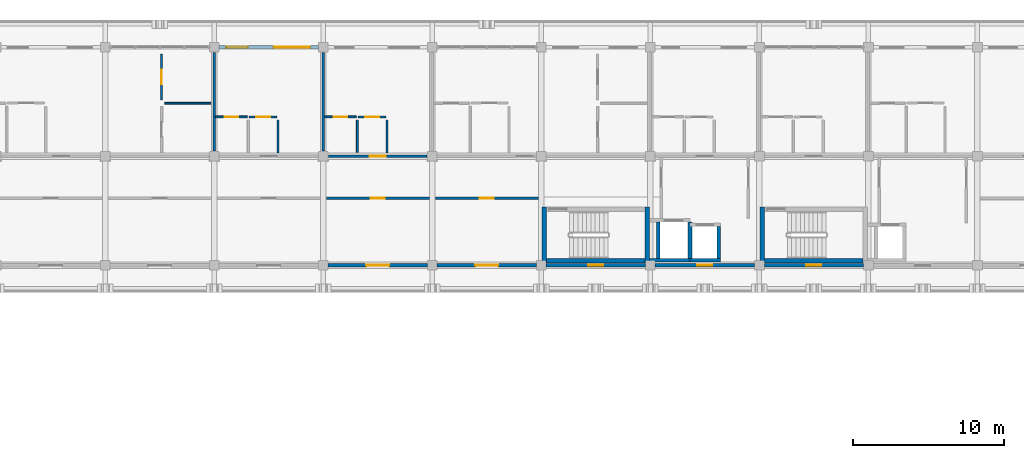
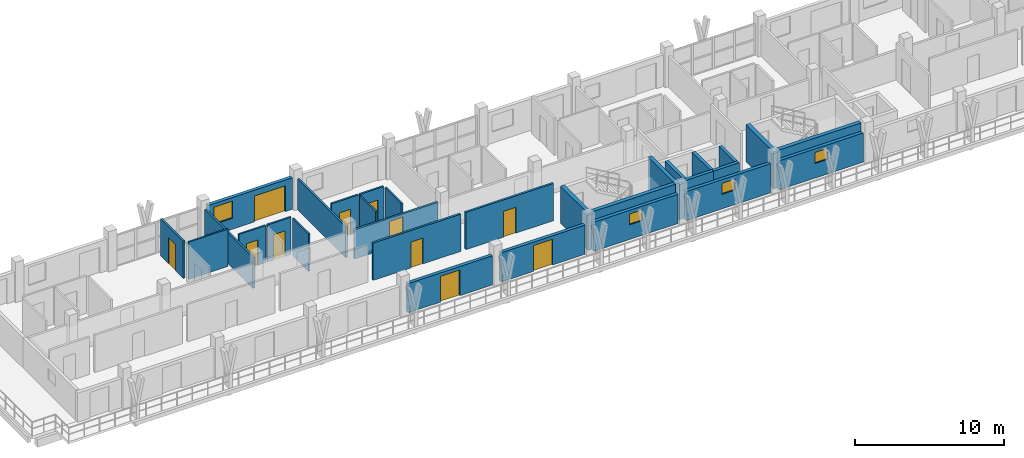
# One storey, part 43 of 75: 30 walls, 11 doors, 4 windows, 15 openings.
"""IFC4 building model written with IfcOpenShell, lengths in metres."""

from ifc_helpers import new_model, si_unit, direction, frame, frame_2d, origin, place, context, subcontext, project, spatial, rectangle, extrude, material, layer, layer_set, type_object, element, fill, save


model = new_model("IFC4")

# Units and contexts
model_context = context("Model", 3, precision=1e-05, world=origin(), true_north=direction((0.0, 1.0)))
body_context = subcontext(model_context, "Body", "Model", "MODEL_VIEW")
ifc_project = project(units=[si_unit("LENGTHUNIT", "METRE"), si_unit("AREAUNIT", "SQUARE_METRE"), si_unit("VOLUMEUNIT", "CUBIC_METRE"), si_unit("PLANEANGLEUNIT", "RADIAN"), si_unit("MASSUNIT", "GRAM", prefix="KILO")], contexts=[model_context])

# Site, building, storey
site_placement = place(None, origin())
site = spatial("IfcSite", under=ifc_project, at=site_placement, CompositionType="ELEMENT")
building_placement = place(site_placement, origin())
building = spatial("IfcBuilding", under=site, at=building_placement, Name="Suanplinth Sawtooth Commons", CompositionType="ELEMENT")
storey_placement = place(building_placement, frame((0.0, 0.0, 18.60009765625)))
storey = spatial("IfcBuildingStorey", under=building, at=storey_placement, Name="L05", CompositionType="ELEMENT", Elevation=18.60009765625)

# Walls
ifc_material_1 = material(Name="Concrete C40/50", Category="concrete")
ifc_layer_1 = layer(ifc_material_1, 0.300048828125, Name="Standard RC stair and lift core wall 300mm")
ifc_layer_set_1 = layer_set([ifc_layer_1], Name="Concrete C40/50")
wall_type_1 = type_object("IfcWallType", Name="W-CR02", PredefinedType="SHEAR", material=ifc_layer_set_1)
wall_1_placement = place(storey_placement, frame((43.550048828125, 108.300048828125, 0.0), z_axis=(0.0, 0.0, 1.0), x_axis=(1.0, 0.0, 0.0)))
element("IfcWall", 1, at=wall_1_placement, inside=storey, type_object=wall_type_1, Name="W-L05-C-A1-STS", PredefinedType="SHEAR", context=body_context, shape_type="SweptSolid", body=[
    extrude(rectangle(XDim=6.5, YDim=0.300048828125, at=frame_2d((3.25, 0.0))), origin(), (0.0, 0.0, 1.0), 3.059814453125),
])
for number, where, z_axis, x_axis, name in (
    (2, (43.39990234375, 108.14990234375, 0.0), (0.0, 0.0, 1.0), (0.0, 1.0, 0.0), "W-L05-C-A1-STW"),
    (3, (50.199951171875, 108.14990234375, 0.0), (0.0, 0.0, 1.0), (0.0, 1.0, 0.0), "W-L05-C-A1-STE"),
):
    element("IfcWall", number, at=place(storey_placement, frame(where, z_axis=z_axis, x_axis=x_axis)), inside=storey, type_object=wall_type_1, Name=name, PredefinedType="SHEAR", context=body_context, shape_type="SweptSolid", body=[
        extrude(rectangle(XDim=3.7001953125, YDim=0.300048828125, at=frame_2d((1.85009765625, 0.0))), origin(), (0.0, 0.0, 1.0), 3.059814453125),
    ])
wall_2_placement = place(storey_placement, frame((57.949951171875, 108.300048828125, 0.0), z_axis=(0.0, 0.0, 1.0), x_axis=(1.0, 0.0, 0.0)))
element("IfcWall", 4, at=wall_2_placement, inside=storey, type_object=wall_type_1, Name="W-L05-C-A2-STS", PredefinedType="SHEAR", context=body_context, shape_type="SweptSolid", body=[
    extrude(rectangle(XDim=6.5, YDim=0.300048828125, at=frame_2d((3.25, 0.0))), origin(), (0.0, 0.0, 1.0), 3.059814453125),
])
wall_3_placement = place(storey_placement, frame((57.800048828125, 108.14990234375, 0.0), z_axis=(0.0, 0.0, 1.0), x_axis=(0.0, 1.0, 0.0)))
element("IfcWall", 5, at=wall_3_placement, inside=storey, type_object=wall_type_1, Name="W-L05-C-A2-STW", PredefinedType="SHEAR", context=body_context, shape_type="SweptSolid", body=[
    extrude(rectangle(XDim=3.7001953125, YDim=0.300048828125, at=frame_2d((1.85009765625, 0.0))), origin(), (0.0, 0.0, 1.0), 3.059814453125),
])

# Wall, openings, door, window
ifc_material_2 = material(Name="Precast concrete C40/50", Category="concrete")
ifc_layer_2 = layer(ifc_material_2, 0.260009765625, Name="Insulated precast courtyard facade wall 260mm")
ifc_layer_set_2 = layer_set([ifc_layer_2], Name="Precast concrete C40/50")
wall_type_2 = type_object("IfcWallType", Name="W-EX02", PredefinedType="ELEMENTEDWALL", material=ifc_layer_set_2)
wall_4_placement = place(storey_placement, frame((21.925048828125, 122.39990234375, 0.0), z_axis=(0.0, 0.0, 1.0), x_axis=(1.0, 0.0, 0.0)))
wall_4 = element("IfcWall", 6, at=wall_4_placement, inside=storey, type_object=wall_type_2, Name="Facade Wall W-L05-A-N-3", PredefinedType="ELEMENTEDWALL", context=body_context, shape_type="SweptSolid", body=[
    extrude(rectangle(XDim=6.550048828125, YDim=0.260009765625, at=frame_2d((3.27490234375, 0.0))), origin(), (0.0, 0.0, 1.0), 2.594970703125),
])
opening_1_placement = place(wall_4_placement, frame((3.60009765625, 0.0, 0.0)))
opening_1 = element("IfcOpeningElement", 7, at=opening_1_placement, cuts=wall_4, Name="Opening ED0400", PredefinedType="OPENING", context=body_context, shape_type="SweptSolid", body=[
    extrude(rectangle(XDim=2.39990234375, YDim=2.1201171875, at=frame_2d((1.199951171875, 1.06005859375))), frame((0.0, 0.14501953125, 0.0), z_axis=(0.0, -1.0, 0.0), x_axis=(1.0, 0.0, 0.0)), (0.0, 0.0, 1.0), 0.289794921875),
])
opening_2_placement = place(wall_4_placement, frame((0.449951171875, 0.0, 0.89990234375)))
opening_2 = element("IfcOpeningElement", 8, at=opening_2_placement, cuts=wall_4, Name="Opening W0494", PredefinedType="OPENING", context=body_context, shape_type="SweptSolid", body=[
    extrude(rectangle(XDim=1.449951171875, YDim=1.39990234375, at=frame_2d((0.72509765625, 0.699951171875))), frame((0.0, 0.14501953125, 0.0), z_axis=(0.0, -1.0, 0.0), x_axis=(1.0, 0.0, 0.0)), (0.0, 0.0, 1.0), 0.289794921875),
])
ifc_material_3 = material(Name="Anodized aluminium and low-E glass", Category="aluminium")
door_type_1 = type_object("IfcDoorType", Name="SD-04", OperationType="DOUBLE_DOOR_SLIDING", PredefinedType="DOOR", material=ifc_material_3)
door_1_placement = place(opening_1_placement, frame((2.39990234375, 0.0, 0.0), z_axis=(0.0, 0.0, 1.0), x_axis=(-1.0, 0.0, 0.0)))
door_1 = element("IfcDoor", 9, at=door_1_placement, inside=storey, type_object=door_type_1, Name="Balcony Sliding Door L05-A-N-3", OperationType="DOUBLE_DOOR_SLIDING", OverallHeight=2.1201171875, OverallWidth=2.39990234375, PredefinedType="DOOR", context=body_context, shape_type="SweptSolid", body=[
    extrude(rectangle(XDim=2.39990234375, YDim=2.1201171875, at=frame_2d((1.199951171875, 1.06005859375))), frame((0.0, 0.02490234375, 0.0), z_axis=(0.0, -1.0, 0.0), x_axis=(1.0, 0.0, 0.0)), (0.0, 0.0, 1.0), 0.050048828125),
])
fill(opening_1, door_1)
ifc_material_4 = material(Name="Thermally broken aluminium and low-E double glazing", Category="aluminium")
window_type_1 = type_object("IfcWindowType", Name="WN-16", PartitioningType="DOUBLE_PANEL_VERTICAL", PredefinedType="WINDOW", material=ifc_material_4)
window_1_placement = place(opening_2_placement, origin())
window_1 = element("IfcWindow", 10, at=window_1_placement, inside=storey, type_object=window_type_1, Name="Window L05-A-N-3", OverallHeight=1.39990234375, OverallWidth=1.449951171875, PartitioningType="DOUBLE_PANEL_VERTICAL", PredefinedType="WINDOW", context=body_context, shape_type="SweptSolid", body=[
    extrude(rectangle(XDim=1.449951171875, YDim=1.39990234375, at=frame_2d((0.72509765625, 0.699951171875))), frame((0.0, 0.030029296875, 0.0), z_axis=(0.0, -1.0, 0.0), x_axis=(1.0, 0.0, 0.0)), (0.0, 0.0, 1.0), 0.06005859375),
])
fill(opening_2, window_1)

# Wall, opening, door
wall_5_placement = place(storey_placement, frame((29.125, 108.0, 0.0), z_axis=(0.0, 0.0, 1.0), x_axis=(1.0, 0.0, 0.0)))
wall_5 = element("IfcWall", 11, at=wall_5_placement, inside=storey, type_object=wall_type_2, Name="Courtyard Wall W-L05-A-S-4", PredefinedType="ELEMENTEDWALL", context=body_context, shape_type="SweptSolid", body=[
    extrude(rectangle(XDim=6.550048828125, YDim=0.260009765625, at=frame_2d((3.27490234375, 0.0))), origin(), (0.0, 0.0, 1.0), 2.39501953125),
])
opening_3_placement = place(wall_5_placement, frame((2.52490234375, 0.0, 0.0)))
opening_3 = element("IfcOpeningElement", 12, at=opening_3_placement, cuts=wall_5, Name="Opening ED0403", PredefinedType="OPENING", context=body_context, shape_type="SweptSolid", body=[
    extrude(rectangle(XDim=1.5, YDim=2.1201171875, at=frame_2d((0.75, 1.06005859375))), frame((0.0, 0.14501953125, 0.0), z_axis=(0.0, -1.0, 0.0), x_axis=(1.0, 0.0, 0.0)), (0.0, 0.0, 1.0), 0.289794921875),
])
door_type_2 = type_object("IfcDoorType", Name="SD-03", OperationType="SLIDING_TO_LEFT", PredefinedType="DOOR", material=ifc_material_3)
door_2_placement = place(opening_3_placement, frame((1.5, 0.0, 0.0), z_axis=(0.0, 0.0, 1.0), x_axis=(-1.0, 0.0, 0.0)))
door_2 = element("IfcDoor", 13, at=door_2_placement, inside=storey, type_object=door_type_2, Name="Courtyard Balcony Sliding Door L05-A-S-4", OperationType="SLIDING_TO_LEFT", OverallHeight=2.1201171875, OverallWidth=1.5, PredefinedType="DOOR", context=body_context, shape_type="SweptSolid", body=[
    extrude(rectangle(XDim=1.5, YDim=2.1201171875, at=frame_2d((0.75, 1.06005859375))), frame((0.0, 0.02490234375, 0.0), z_axis=(0.0, -1.0, 0.0), x_axis=(1.0, 0.0, 0.0)), (0.0, 0.0, 1.0), 0.050048828125),
])
fill(opening_3, door_2)

wall_6_placement = place(storey_placement, frame((36.324951171875, 108.0, 0.0), z_axis=(0.0, 0.0, 1.0), x_axis=(1.0, 0.0, 0.0)))
wall_6 = element("IfcWall", 14, at=wall_6_placement, inside=storey, type_object=wall_type_2, Name="Courtyard Wall W-L05-A-S-5", PredefinedType="ELEMENTEDWALL", context=body_context, shape_type="SweptSolid", body=[
    extrude(rectangle(XDim=6.550048828125, YDim=0.260009765625, at=frame_2d((3.27490234375, 0.0))), origin(), (0.0, 0.0, 1.0), 2.39501953125),
])
opening_4_placement = place(wall_6_placement, frame((2.52490234375, 0.0, 0.0)))
opening_4 = element("IfcOpeningElement", 15, at=opening_4_placement, cuts=wall_6, Name="Opening ED0404", PredefinedType="OPENING", context=body_context, shape_type="SweptSolid", body=[
    extrude(rectangle(XDim=1.5, YDim=2.1201171875, at=frame_2d((0.75, 1.06005859375))), frame((0.0, 0.14501953125, 0.0), z_axis=(0.0, -1.0, 0.0), x_axis=(1.0, 0.0, 0.0)), (0.0, 0.0, 1.0), 0.289794921875),
])
door_3_placement = place(opening_4_placement, frame((1.5, 0.0, 0.0), z_axis=(0.0, 0.0, 1.0), x_axis=(-1.0, 0.0, 0.0)))
door_3 = element("IfcDoor", 16, at=door_3_placement, inside=storey, type_object=door_type_2, Name="Courtyard Balcony Sliding Door L05-A-S-5", OperationType="SLIDING_TO_LEFT", OverallHeight=2.1201171875, OverallWidth=1.5, PredefinedType="DOOR", context=body_context, shape_type="SweptSolid", body=[
    extrude(rectangle(XDim=1.5, YDim=2.1201171875, at=frame_2d((0.75, 1.06005859375))), frame((0.0, 0.02490234375, 0.0), z_axis=(0.0, -1.0, 0.0), x_axis=(1.0, 0.0, 0.0)), (0.0, 0.0, 1.0), 0.050048828125),
])
fill(opening_4, door_3)

# Wall, opening, window
wall_7_placement = place(storey_placement, frame((43.52490234375, 108.0, 0.0), z_axis=(0.0, 0.0, 1.0), x_axis=(1.0, 0.0, 0.0)))
wall_7 = element("IfcWall", 17, at=wall_7_placement, inside=storey, type_object=wall_type_2, Name="Courtyard Wall W-L05-A-S-6", PredefinedType="ELEMENTEDWALL", context=body_context, shape_type="SweptSolid", body=[
    extrude(rectangle(XDim=6.550048828125, YDim=0.260009765625, at=frame_2d((3.27490234375, 0.0))), origin(), (0.0, 0.0, 1.0), 2.39501953125),
])
opening_5_placement = place(wall_7_placement, frame((2.77490234375, 0.0, 1.199951171875)))
opening_5 = element("IfcOpeningElement", 18, at=opening_5_placement, cuts=wall_7, Name="Opening W0497", PredefinedType="OPENING", context=body_context, shape_type="SweptSolid", body=[
    extrude(rectangle(XDim=1.0, YDim=0.89990234375, at=frame_2d((0.5, 0.449951171875))), frame((0.0, 0.14501953125, 0.0), z_axis=(0.0, -1.0, 0.0), x_axis=(1.0, 0.0, 0.0)), (0.0, 0.0, 1.0), 0.289794921875),
])
window_type_2 = type_object("IfcWindowType", Name="WN-12", PartitioningType="SINGLE_PANEL", PredefinedType="WINDOW", material=ifc_material_4)
window_2_placement = place(opening_5_placement, origin())
window_2 = element("IfcWindow", 19, at=window_2_placement, inside=storey, type_object=window_type_2, Name="Core Daylight Window L05-A-6", OverallHeight=0.89990234375, OverallWidth=1.0, PartitioningType="SINGLE_PANEL", PredefinedType="WINDOW", context=body_context, shape_type="SweptSolid", body=[
    extrude(rectangle(XDim=1.0, YDim=0.89990234375, at=frame_2d((0.5, 0.449951171875))), frame((0.0, 0.030029296875, 0.0), z_axis=(0.0, -1.0, 0.0), x_axis=(1.0, 0.0, 0.0)), (0.0, 0.0, 1.0), 0.06005859375),
])
fill(opening_5, window_2)

wall_8_placement = place(storey_placement, frame((50.72509765625, 108.0, 0.0), z_axis=(0.0, 0.0, 1.0), x_axis=(1.0, 0.0, 0.0)))
wall_8 = element("IfcWall", 20, at=wall_8_placement, inside=storey, type_object=wall_type_2, Name="Courtyard Wall W-L05-A-S-7", PredefinedType="ELEMENTEDWALL", context=body_context, shape_type="SweptSolid", body=[
    extrude(rectangle(XDim=6.5498046875, YDim=0.260009765625, at=frame_2d((3.27490234375, 0.0))), origin(), (0.0, 0.0, 1.0), 2.39501953125),
])
opening_6_placement = place(wall_8_placement, frame((2.77490234375, 0.0, 1.199951171875)))
opening_6 = element("IfcOpeningElement", 21, at=opening_6_placement, cuts=wall_8, Name="Opening W0499", PredefinedType="OPENING", context=body_context, shape_type="SweptSolid", body=[
    extrude(rectangle(XDim=1.0, YDim=0.89990234375, at=frame_2d((0.5, 0.449951171875))), frame((0.0, 0.14501953125, 0.0), z_axis=(0.0, -1.0, 0.0), x_axis=(1.0, 0.0, 0.0)), (0.0, 0.0, 1.0), 0.289794921875),
])
window_3_placement = place(opening_6_placement, origin())
window_3 = element("IfcWindow", 22, at=window_3_placement, inside=storey, type_object=window_type_2, Name="Core Daylight Window L05-A-7", OverallHeight=0.89990234375, OverallWidth=1.0, PartitioningType="SINGLE_PANEL", PredefinedType="WINDOW", context=body_context, shape_type="SweptSolid", body=[
    extrude(rectangle(XDim=1.0, YDim=0.89990234375, at=frame_2d((0.5, 0.449951171875))), frame((0.0, 0.030029296875, 0.0), z_axis=(0.0, -1.0, 0.0), x_axis=(1.0, 0.0, 0.0)), (0.0, 0.0, 1.0), 0.06005859375),
])
fill(opening_6, window_3)

wall_9_placement = place(storey_placement, frame((57.925048828125, 108.0, 0.0), z_axis=(0.0, 0.0, 1.0), x_axis=(1.0, 0.0, 0.0)))
wall_9 = element("IfcWall", 23, at=wall_9_placement, inside=storey, type_object=wall_type_2, Name="Courtyard Wall W-L05-A-S-8", PredefinedType="ELEMENTEDWALL", context=body_context, shape_type="SweptSolid", body=[
    extrude(rectangle(XDim=6.550048828125, YDim=0.260009765625, at=frame_2d((3.27490234375, 0.0))), origin(), (0.0, 0.0, 1.0), 2.39501953125),
])
opening_7_placement = place(wall_9_placement, frame((2.77490234375, 0.0, 1.199951171875)))
opening_7 = element("IfcOpeningElement", 24, at=opening_7_placement, cuts=wall_9, Name="Opening W0500", PredefinedType="OPENING", context=body_context, shape_type="SweptSolid", body=[
    extrude(rectangle(XDim=1.0, YDim=0.89990234375, at=frame_2d((0.5, 0.449951171875))), frame((0.0, 0.14501953125, 0.0), z_axis=(0.0, -1.0, 0.0), x_axis=(1.0, 0.0, 0.0)), (0.0, 0.0, 1.0), 0.289794921875),
])
window_4_placement = place(opening_7_placement, origin())
window_4 = element("IfcWindow", 25, at=window_4_placement, inside=storey, type_object=window_type_2, Name="Core Daylight Window L05-A-8", OverallHeight=0.89990234375, OverallWidth=1.0, PartitioningType="SINGLE_PANEL", PredefinedType="WINDOW", context=body_context, shape_type="SweptSolid", body=[
    extrude(rectangle(XDim=1.0, YDim=0.89990234375, at=frame_2d((0.5, 0.449951171875))), frame((0.0, 0.030029296875, 0.0), z_axis=(0.0, -1.0, 0.0), x_axis=(1.0, 0.0, 0.0)), (0.0, 0.0, 1.0), 0.06005859375),
])
fill(opening_7, window_4)

# Wall, opening, door
ifc_layer_3 = layer(ifc_material_2, 0.159912109375, Name="Fire-rated corridor and lobby wall 160mm")
ifc_layer_set_3 = layer_set([ifc_layer_3], Name="Precast concrete C40/50")
wall_type_3 = type_object("IfcWallType", Name="W-FW01", PredefinedType="PARTITIONING", material=ifc_layer_set_3)
wall_10_placement = place(storey_placement, frame((29.155029296875, 115.199951171875, 0.0), z_axis=(0.0, 0.0, 1.0), x_axis=(1.0, 0.0, 0.0)))
wall_10 = element("IfcWall", 26, at=wall_10_placement, inside=storey, type_object=wall_type_3, Name="W-A-L05-U03-COR", PredefinedType="PARTITIONING", context=body_context, shape_type="SweptSolid", body=[
    extrude(rectangle(XDim=6.489990234375, YDim=0.159912109375, at=frame_2d((3.2451171875, 0.0))), origin(), (0.0, 0.0, 1.0), 2.39501953125),
])
opening_8_placement = place(wall_10_placement, frame((2.719970703125, 0.0, 0.0)))
opening_8 = element("IfcOpeningElement", 27, at=opening_8_placement, cuts=wall_10, Name="Opening FD1205", PredefinedType="OPENING", context=body_context, shape_type="SweptSolid", body=[
    extrude(rectangle(XDim=1.050048828125, YDim=2.14990234375, at=frame_2d((0.52490234375, 1.074951171875))), frame((0.0, 0.0947265625, 0.0), z_axis=(0.0, -1.0, 0.0), x_axis=(1.0, 0.0, 0.0)), (0.0, 0.0, 1.0), 0.189697265625),
])
ifc_material_5 = material(Name="Teak hardwood fire-rated door assembly", Category="wood")
door_type_3 = type_object("IfcDoorType", Name="FD-04", OperationType="NOTDEFINED", PredefinedType="DOOR", material=ifc_material_5)
door_4_placement = place(opening_8_placement, origin())
door_4 = element("IfcDoor", 28, at=door_4_placement, inside=storey, type_object=door_type_3, Name="Unit Entrance Door FD1205", OperationType="SINGLE_SWING_LEFT", OverallHeight=2.14990234375, OverallWidth=1.050048828125, PredefinedType="DOOR", context=body_context, shape_type="SweptSolid", body=[
    extrude(rectangle(XDim=1.050048828125, YDim=2.14990234375, at=frame_2d((0.52490234375, 1.074951171875))), frame((0.0, 0.02490234375, 0.0), z_axis=(0.0, -1.0, 0.0), x_axis=(1.0, 0.0, 0.0)), (0.0, 0.0, 1.0), 0.050048828125),
])
fill(opening_8, door_4)

wall_11_placement = place(storey_placement, frame((29.0, 112.419921875, 0.0), z_axis=(0.0, 0.0, 1.0), x_axis=(1.0, 0.0, 0.0)))
wall_11 = element("IfcWall", 29, at=wall_11_placement, inside=storey, type_object=wall_type_3, Name="W-A-L05-COURTROOM-15-COR", PredefinedType="PARTITIONING", context=body_context, shape_type="SweptSolid", body=[
    extrude(rectangle(XDim=6.800048828125, YDim=0.159912109375, at=frame_2d((3.39990234375, 0.0))), origin(), (0.0, 0.0, 1.0), 3.059814453125),
])
opening_9_placement = place(wall_11_placement, frame((2.929931640625, 0.0, 0.0)))
opening_9 = element("IfcOpeningElement", 30, at=opening_9_placement, cuts=wall_11, Name="Opening D1240", PredefinedType="OPENING", context=body_context, shape_type="SweptSolid", body=[
    extrude(rectangle(XDim=0.93994140625, YDim=2.1201171875, at=frame_2d((0.469970703125, 1.06005859375))), frame((0.0, 0.0947265625, 0.0), z_axis=(0.0, -1.0, 0.0), x_axis=(1.0, 0.0, 0.0)), (0.0, 0.0, 1.0), 0.189697265625),
])
ifc_material_6 = material(Name="Teak hardwood", Category="wood")
door_type_4 = type_object("IfcDoorType", Name="D-15", OperationType="NOTDEFINED", PredefinedType="DOOR", material=ifc_material_6)
door_5_placement = place(opening_9_placement, frame((0.93994140625, 0.0, 0.0), z_axis=(0.0, 0.0, 1.0), x_axis=(-1.0, 0.0, 0.0)))
door_5 = element("IfcDoor", 31, at=door_5_placement, inside=storey, type_object=door_type_4, Name="Study Studio Door D1240", OperationType="SINGLE_SWING_RIGHT", OverallHeight=2.1201171875, OverallWidth=0.93994140625, PredefinedType="DOOR", context=body_context, shape_type="SweptSolid", body=[
    extrude(rectangle(XDim=0.93994140625, YDim=2.1201171875, at=frame_2d((0.469970703125, 1.06005859375))), frame((0.0, 0.02490234375, 0.0), z_axis=(0.0, -1.0, 0.0), x_axis=(1.0, 0.0, 0.0)), (0.0, 0.0, 1.0), 0.050048828125),
])
fill(opening_9, door_5)

wall_12_placement = place(storey_placement, frame((36.199951171875, 112.419921875, 0.0), z_axis=(0.0, 0.0, 1.0), x_axis=(1.0, 0.0, 0.0)))
wall_12 = element("IfcWall", 32, at=wall_12_placement, inside=storey, type_object=wall_type_3, Name="W-A-L05-COURTROOM-16-COR", PredefinedType="PARTITIONING", context=body_context, shape_type="SweptSolid", body=[
    extrude(rectangle(XDim=6.800048828125, YDim=0.159912109375, at=frame_2d((3.39990234375, 0.0))), origin(), (0.0, 0.0, 1.0), 3.059814453125),
])
opening_10_placement = place(wall_12_placement, frame((2.929931640625, 0.0, 0.0)))
opening_10 = element("IfcOpeningElement", 33, at=opening_10_placement, cuts=wall_12, Name="Opening D1241", PredefinedType="OPENING", context=body_context, shape_type="SweptSolid", body=[
    extrude(rectangle(XDim=0.93994140625, YDim=2.1201171875, at=frame_2d((0.469970703125, 1.06005859375))), frame((0.0, 0.0947265625, 0.0), z_axis=(0.0, -1.0, 0.0), x_axis=(1.0, 0.0, 0.0)), (0.0, 0.0, 1.0), 0.189697265625),
])
door_6_placement = place(opening_10_placement, frame((0.93994140625, 0.0, 0.0), z_axis=(0.0, 0.0, 1.0), x_axis=(-1.0, 0.0, 0.0)))
door_6 = element("IfcDoor", 34, at=door_6_placement, inside=storey, type_object=door_type_4, Name="Study Studio Door D1241", OperationType="SINGLE_SWING_LEFT", OverallHeight=2.1201171875, OverallWidth=0.93994140625, PredefinedType="DOOR", context=body_context, shape_type="SweptSolid", body=[
    extrude(rectangle(XDim=0.93994140625, YDim=2.1201171875, at=frame_2d((0.469970703125, 1.06005859375))), frame((0.0, 0.02490234375, 0.0), z_axis=(0.0, -1.0, 0.0), x_axis=(1.0, 0.0, 0.0)), (0.0, 0.0, 1.0), 0.050048828125),
])
fill(opening_10, door_6)

# Walls
ifc_layer_4 = layer(ifc_material_2, 0.14990234375, Name="Acoustic precast party demising wall 150mm")
ifc_layer_set_4 = layer_set([ifc_layer_4], Name="Precast concrete C40/50")
wall_type_4 = type_object("IfcWallType", Name="W-FW02", PredefinedType="PARTITIONING", material=ifc_layer_set_4)
for number, where, z_axis, x_axis, name in (
    (35, (21.60009765625, 115.554931640625, 0.0), (0.0, 0.0, 1.0), (0.0, 1.0, 0.0), "W-A-L05-U01-PTY"),
    (36, (28.800048828125, 115.554931640625, 0.0), (0.0, 0.0, 1.0), (0.0, 1.0, 0.0), "W-A-L05-U02-PTY"),
):
    element("IfcWall", number, at=place(storey_placement, frame(where, z_axis=z_axis, x_axis=x_axis)), inside=storey, type_object=wall_type_4, Name=name, PredefinedType="PARTITIONING", context=body_context, shape_type="SweptSolid", body=[
        extrude(rectangle(XDim=6.489990234375, YDim=0.14990234375, at=frame_2d((3.2451171875, 0.0))), origin(), (0.0, 0.0, 1.0), 2.544921875),
    ])

# Wall, opening, door
ifc_material_7 = material(Name="Gypsum plasterboard on steel stud", Category="steel")
ifc_layer_5 = layer(ifc_material_7, 0.139892578125, Name="Fire-rated kitchen partition 140mm")
ifc_layer_set_5 = layer_set([ifc_layer_5], Name="Gypsum plasterboard on steel stud")
wall_type_5 = type_object("IfcWallType", Name="W-PT01", PredefinedType="PARTITIONING", material=ifc_layer_set_5)
wall_13_placement = place(storey_placement, frame((23.89990234375, 117.800048828125, 0.0), z_axis=(0.0, 0.0, 1.0), x_axis=(1.0, 0.0, 0.0)))
wall_13 = element("IfcWall", 37, at=wall_13_placement, inside=storey, type_object=wall_type_5, Name="W-A-L05-U02-KIT1", PredefinedType="PARTITIONING", context=body_context, shape_type="SweptSolid", body=[
    extrude(rectangle(XDim=1.85009765625, YDim=0.139892578125, at=frame_2d((0.925048828125, 0.0))), origin(), (0.0, 0.0, 1.0), 3.059814453125),
])
opening_11_placement = place(wall_13_placement, frame((0.465087890625, 0.0, 0.0)))
opening_11 = element("IfcOpeningElement", 38, at=opening_11_placement, cuts=wall_13, Name="Opening D1204", PredefinedType="OPENING", context=body_context, shape_type="SweptSolid", body=[
    extrude(rectangle(XDim=0.919921875, YDim=2.10009765625, at=frame_2d((0.4599609375, 1.050048828125))), frame((0.0, 0.0849609375, 0.0), z_axis=(0.0, -1.0, 0.0), x_axis=(1.0, 0.0, 0.0)), (0.0, 0.0, 1.0), 0.169677734375),
])
door_type_5 = type_object("IfcDoorType", Name="D-02", OperationType="NOTDEFINED", PredefinedType="DOOR", material=ifc_material_6)
door_7_placement = place(opening_11_placement, frame((0.919921875, 0.0, 0.0), z_axis=(0.0, 0.0, 1.0), x_axis=(-1.0, 0.0, 0.0)))
door_7 = element("IfcDoor", 39, at=door_7_placement, inside=storey, type_object=door_type_5, Name="Kitchen Door D1204", OperationType="SINGLE_SWING_RIGHT", OverallHeight=2.10009765625, OverallWidth=0.919921875, PredefinedType="DOOR", context=body_context, shape_type="SweptSolid", body=[
    extrude(rectangle(XDim=0.919921875, YDim=2.10009765625, at=frame_2d((0.4599609375, 1.050048828125))), frame((0.0, 0.02490234375, 0.0), z_axis=(0.0, -1.0, 0.0), x_axis=(1.0, 0.0, 0.0)), (0.0, 0.0, 1.0), 0.050048828125),
])
fill(opening_11, door_7)

# Wall
wall_14_placement = place(storey_placement, frame((25.820068359375, 115.429931640625, 0.0), z_axis=(0.0, 0.0, 1.0), x_axis=(0.0, 1.0, 0.0)))
element("IfcWall", 40, at=wall_14_placement, inside=storey, type_object=wall_type_5, Name="W-A-L05-U02-KIT2", PredefinedType="PARTITIONING", context=body_context, shape_type="SweptSolid", body=[
    extrude(rectangle(XDim=2.150146484375, YDim=0.139892578125, at=frame_2d((1.0751953125, 0.0))), origin(), (0.0, 0.0, 1.0), 3.059814453125),
])

# Wall, opening, door
wall_15_placement = place(storey_placement, frame((31.10009765625, 117.800048828125, 0.0), z_axis=(0.0, 0.0, 1.0), x_axis=(1.0, 0.0, 0.0)))
wall_15 = element("IfcWall", 41, at=wall_15_placement, inside=storey, type_object=wall_type_5, Name="W-A-L05-U03-KIT1", PredefinedType="PARTITIONING", context=body_context, shape_type="SweptSolid", body=[
    extrude(rectangle(XDim=1.849853515625, YDim=0.139892578125, at=frame_2d((0.9248046875, 0.0))), origin(), (0.0, 0.0, 1.0), 3.059814453125),
])
opening_12_placement = place(wall_15_placement, frame((0.465087890625, 0.0, 0.0)))
opening_12 = element("IfcOpeningElement", 42, at=opening_12_placement, cuts=wall_15, Name="Opening D1207", PredefinedType="OPENING", context=body_context, shape_type="SweptSolid", body=[
    extrude(rectangle(XDim=0.919921875, YDim=2.10009765625, at=frame_2d((0.4599609375, 1.050048828125))), frame((0.0, 0.0849609375, 0.0), z_axis=(0.0, -1.0, 0.0), x_axis=(1.0, 0.0, 0.0)), (0.0, 0.0, 1.0), 0.169677734375),
])
door_8_placement = place(opening_12_placement, frame((0.919921875, 0.0, 0.0), z_axis=(0.0, 0.0, 1.0), x_axis=(-1.0, 0.0, 0.0)))
door_8 = element("IfcDoor", 43, at=door_8_placement, inside=storey, type_object=door_type_5, Name="Kitchen Door D1207", OperationType="SINGLE_SWING_LEFT", OverallHeight=2.10009765625, OverallWidth=0.919921875, PredefinedType="DOOR", context=body_context, shape_type="SweptSolid", body=[
    extrude(rectangle(XDim=0.919921875, YDim=2.10009765625, at=frame_2d((0.4599609375, 1.050048828125))), frame((0.0, 0.02490234375, 0.0), z_axis=(0.0, -1.0, 0.0), x_axis=(1.0, 0.0, 0.0)), (0.0, 0.0, 1.0), 0.050048828125),
])
fill(opening_12, door_8)

# Wall
wall_16_placement = place(storey_placement, frame((33.02001953125, 115.429931640625, 0.0), z_axis=(0.0, 0.0, 1.0), x_axis=(0.0, 1.0, 0.0)))
element("IfcWall", 44, at=wall_16_placement, inside=storey, type_object=wall_type_5, Name="W-A-L05-U03-KIT2", PredefinedType="PARTITIONING", context=body_context, shape_type="SweptSolid", body=[
    extrude(rectangle(XDim=2.150146484375, YDim=0.139892578125, at=frame_2d((1.0751953125, 0.0))), origin(), (0.0, 0.0, 1.0), 3.059814453125),
])

# Wall, opening, door
ifc_layer_6 = layer(ifc_material_7, 0.1298828125, Name="Moisture-resistant bathroom partition 130mm")
ifc_layer_set_6 = layer_set([ifc_layer_6], Name="Gypsum plasterboard on steel stud")
wall_type_6 = type_object("IfcWallType", Name="W-PT02", PredefinedType="PARTITIONING", material=ifc_layer_set_6)
wall_17_placement = place(storey_placement, frame((21.679931640625, 117.794921875, 0.0), z_axis=(0.0, 0.0, 1.0), x_axis=(1.0, 0.0, 0.0)))
wall_17 = element("IfcWall", 45, at=wall_17_placement, inside=storey, type_object=wall_type_6, Name="W-A-L05-U02-BTH1", PredefinedType="PARTITIONING", context=body_context, shape_type="SweptSolid", body=[
    extrude(rectangle(XDim=2.10009765625, YDim=0.1298828125, at=frame_2d((1.050048828125, 0.0))), origin(), (0.0, 0.0, 1.0), 3.059814453125),
])
opening_13_placement = place(wall_17_placement, frame((0.610107421875, 0.0, 0.0)))
opening_13 = element("IfcOpeningElement", 46, at=opening_13_placement, cuts=wall_17, Name="Opening D1203", PredefinedType="OPENING", context=body_context, shape_type="SweptSolid", body=[
    extrude(rectangle(XDim=0.8798828125, YDim=2.10009765625, at=frame_2d((0.43994140625, 1.050048828125))), frame((0.0, 0.079833984375, 0.0), z_axis=(0.0, -1.0, 0.0), x_axis=(1.0, 0.0, 0.0)), (0.0, 0.0, 1.0), 0.15966796875),
])
door_type_6 = type_object("IfcDoorType", Name="D-14", OperationType="NOTDEFINED", PredefinedType="DOOR", material=ifc_material_6)
door_9_placement = place(opening_13_placement, frame((0.8798828125, 0.0, 0.0), z_axis=(0.0, 0.0, 1.0), x_axis=(-1.0, 0.0, 0.0)))
door_9 = element("IfcDoor", 47, at=door_9_placement, inside=storey, type_object=door_type_6, Name="Bathroom Door D1203", OperationType="SINGLE_SWING_LEFT", OverallHeight=2.10009765625, OverallWidth=0.8798828125, PredefinedType="DOOR", context=body_context, shape_type="SweptSolid", body=[
    extrude(rectangle(XDim=0.8798828125, YDim=2.10009765625, at=frame_2d((0.43994140625, 1.050048828125))), frame((0.0, 0.02490234375, 0.0), z_axis=(0.0, -1.0, 0.0), x_axis=(1.0, 0.0, 0.0)), (0.0, 0.0, 1.0), 0.050048828125),
])
fill(opening_13, door_9)

wall_18_placement = place(storey_placement, frame((28.8798828125, 117.794921875, 0.0), z_axis=(0.0, 0.0, 1.0), x_axis=(1.0, 0.0, 0.0)))
wall_18 = element("IfcWall", 48, at=wall_18_placement, inside=storey, type_object=wall_type_6, Name="W-A-L05-U03-BTH1", PredefinedType="PARTITIONING", context=body_context, shape_type="SweptSolid", body=[
    extrude(rectangle(XDim=2.10009765625, YDim=0.1298828125, at=frame_2d((1.050048828125, 0.0))), origin(), (0.0, 0.0, 1.0), 3.059814453125),
])
opening_14_placement = place(wall_18_placement, frame((0.610107421875, 0.0, 0.0)))
opening_14 = element("IfcOpeningElement", 49, at=opening_14_placement, cuts=wall_18, Name="Opening D1206", PredefinedType="OPENING", context=body_context, shape_type="SweptSolid", body=[
    extrude(rectangle(XDim=0.8798828125, YDim=2.10009765625, at=frame_2d((0.43994140625, 1.050048828125))), frame((0.0, 0.079833984375, 0.0), z_axis=(0.0, -1.0, 0.0), x_axis=(1.0, 0.0, 0.0)), (0.0, 0.0, 1.0), 0.15966796875),
])
door_10_placement = place(opening_14_placement, frame((0.8798828125, 0.0, 0.0), z_axis=(0.0, 0.0, 1.0), x_axis=(-1.0, 0.0, 0.0)))
door_10 = element("IfcDoor", 50, at=door_10_placement, inside=storey, type_object=door_type_6, Name="Bathroom Door D1206", OperationType="SINGLE_SWING_RIGHT", OverallHeight=2.10009765625, OverallWidth=0.8798828125, PredefinedType="DOOR", context=body_context, shape_type="SweptSolid", body=[
    extrude(rectangle(XDim=0.8798828125, YDim=2.10009765625, at=frame_2d((0.43994140625, 1.050048828125))), frame((0.0, 0.02490234375, 0.0), z_axis=(0.0, -1.0, 0.0), x_axis=(1.0, 0.0, 0.0)), (0.0, 0.0, 1.0), 0.050048828125),
])
fill(opening_14, door_10)

# Walls
wall_19_placement = place(storey_placement, frame((31.044921875, 115.4599609375, 0.0), z_axis=(0.0, 0.0, 1.0), x_axis=(0.0, 1.0, 0.0)))
element("IfcWall", 51, at=wall_19_placement, inside=storey, type_object=wall_type_6, Name="W-A-L05-U03-BTH2", PredefinedType="PARTITIONING", context=body_context, shape_type="SweptSolid", body=[
    extrude(rectangle(XDim=2.130126953125, YDim=0.1298828125, at=frame_2d((1.06494140625, 0.0))), origin(), (0.0, 0.0, 1.0), 3.059814453125),
])
ifc_layer_7 = layer(ifc_material_7, 0.125, Name="Acoustic study partition 125mm")
ifc_layer_set_7 = layer_set([ifc_layer_7], Name="Gypsum plasterboard on steel stud")
wall_type_7 = type_object("IfcWallType", Name="W-PT06", PredefinedType="PARTITIONING", material=ifc_layer_set_7)
wall_20_placement = place(storey_placement, frame((18.320068359375, 118.699951171875, 0.0), z_axis=(0.0, 0.0, 1.0), x_axis=(1.0, 0.0, 0.0)))
element("IfcWall", 52, at=wall_20_placement, inside=storey, type_object=wall_type_7, Name="W-A-L05-U01-BEDDIV", PredefinedType="PARTITIONING", context=body_context, shape_type="SweptSolid", body=[
    extrude(rectangle(XDim=3.059814453125, YDim=0.125, at=frame_2d((1.52978515625, 0.0))), origin(), (0.0, 0.0, 1.0), 3.059814453125),
])

# Wall, opening, door
ifc_layer_8 = layer(ifc_material_7, 0.135009765625, Name="Insulated bedroom demising partition 135mm")
ifc_layer_set_8 = layer_set([ifc_layer_8], Name="Gypsum plasterboard on steel stud")
wall_type_8 = type_object("IfcWallType", Name="W-PT07", PredefinedType="PARTITIONING", material=ifc_layer_set_8)
wall_21_placement = place(storey_placement, frame((18.1201171875, 118.919921875, 0.0), z_axis=(0.0, 0.0, 1.0), x_axis=(0.0, 1.0, 0.0)))
wall_21 = element("IfcWall", 53, at=wall_21_placement, inside=storey, type_object=wall_type_8, Name="W-A-L05-U01-BED1", PredefinedType="PARTITIONING", context=body_context, shape_type="SweptSolid", body=[
    extrude(rectangle(XDim=3.0400390625, YDim=0.135009765625, at=frame_2d((1.52001953125, 0.0))), origin(), (0.0, 0.0, 1.0), 3.059814453125),
])
opening_15_placement = place(wall_21_placement, frame((1.044921875, 0.0, 0.0)))
opening_15 = element("IfcOpeningElement", 54, at=opening_15_placement, cuts=wall_21, Name="Opening D1200", PredefinedType="OPENING", context=body_context, shape_type="SweptSolid", body=[
    extrude(rectangle(XDim=0.949951171875, YDim=2.14990234375, at=frame_2d((0.47509765625, 1.074951171875))), frame((0.0, 0.08251953125, 0.0), z_axis=(0.0, -1.0, 0.0), x_axis=(1.0, 0.0, 0.0)), (0.0, 0.0, 1.0), 0.164794921875),
])
door_type_7 = type_object("IfcDoorType", Name="D-03", OperationType="NOTDEFINED", PredefinedType="DOOR", material=ifc_material_6)
door_11_placement = place(opening_15_placement, frame((0.949951171875, 0.0, 0.0), z_axis=(0.0, 0.0, 1.0), x_axis=(-1.0, 0.0, 0.0)))
door_11 = element("IfcDoor", 55, at=door_11_placement, inside=storey, type_object=door_type_7, Name="Bedroom Door D1200", OperationType="SINGLE_SWING_RIGHT", OverallHeight=2.14990234375, OverallWidth=0.949951171875, PredefinedType="DOOR", context=body_context, shape_type="SweptSolid", body=[
    extrude(rectangle(XDim=0.949951171875, YDim=2.14990234375, at=frame_2d((0.47509765625, 1.074951171875))), frame((0.0, 0.02490234375, 0.0), z_axis=(0.0, -1.0, 0.0), x_axis=(1.0, 0.0, 0.0)), (0.0, 0.0, 1.0), 0.050048828125),
])
fill(opening_15, door_11)

# Walls
ifc_layer_9 = layer(ifc_material_2, 0.25, Name="Precast structural shear wall 250mm")
ifc_layer_set_9 = layer_set([ifc_layer_9], Name="Precast concrete C40/50")
wall_type_9 = type_object("IfcWallType", Name="W-SH01", PredefinedType="SHEAR", material=ifc_layer_set_9)
wall_22_placement = place(storey_placement, frame((50.35009765625, 108.324951171875, 0.0), z_axis=(0.0, 0.0, 1.0), x_axis=(1.0, 0.0, 0.0)))
element("IfcWall", 56, at=wall_22_placement, inside=storey, type_object=wall_type_9, Name="W-L05-FL1-S", PredefinedType="SHEAR", context=body_context, shape_type="SweptSolid", body=[
    extrude(rectangle(XDim=2.6748046875, YDim=0.25, at=frame_2d((1.33740234375, 0.0))), origin(), (0.0, 0.0, 1.0), 3.059814453125),
])
for number, where, z_axis, x_axis, name in (
    (57, (50.925048828125, 108.449951171875, 0.0), (0.0, 0.0, 1.0), (0.0, 1.0, 0.0), "W-L05-FL1-W"),
    (58, (53.02490234375, 108.449951171875, 0.0), (0.0, 0.0, 1.0), (0.0, 1.0, 0.0), "W-L05-FL1-DIV"),
):
    element("IfcWall", number, at=place(storey_placement, frame(where, z_axis=z_axis, x_axis=x_axis)), inside=storey, type_object=wall_type_9, Name=name, PredefinedType="SHEAR", context=body_context, shape_type="SweptSolid", body=[
        extrude(rectangle(XDim=2.400146484375, YDim=0.25, at=frame_2d((1.2001953125, 0.0))), origin(), (0.0, 0.0, 1.0), 3.059814453125),
    ])
wall_23_placement = place(storey_placement, frame((53.02490234375, 108.324951171875, 0.0), z_axis=(0.0, 0.0, 1.0), x_axis=(1.0, 0.0, 0.0)))
element("IfcWall", 59, at=wall_23_placement, inside=storey, type_object=wall_type_9, Name="W-L05-LF1-S", PredefinedType="SHEAR", context=body_context, shape_type="SweptSolid", body=[
    extrude(rectangle(XDim=2.025146484375, YDim=0.25, at=frame_2d((1.0126953125, 0.0))), origin(), (0.0, 0.0, 1.0), 3.059814453125),
])
wall_24_placement = place(storey_placement, frame((54.925048828125, 108.449951171875, 0.0), z_axis=(0.0, 0.0, 1.0), x_axis=(0.0, 1.0, 0.0)))
element("IfcWall", 60, at=wall_24_placement, inside=storey, type_object=wall_type_9, Name="W-L05-LF1-E", PredefinedType="SHEAR", context=body_context, shape_type="SweptSolid", body=[
    extrude(rectangle(XDim=2.10009765625, YDim=0.25, at=frame_2d((1.050048828125, 0.0))), origin(), (0.0, 0.0, 1.0), 3.059814453125),
])

save(model, "model.ifc")
